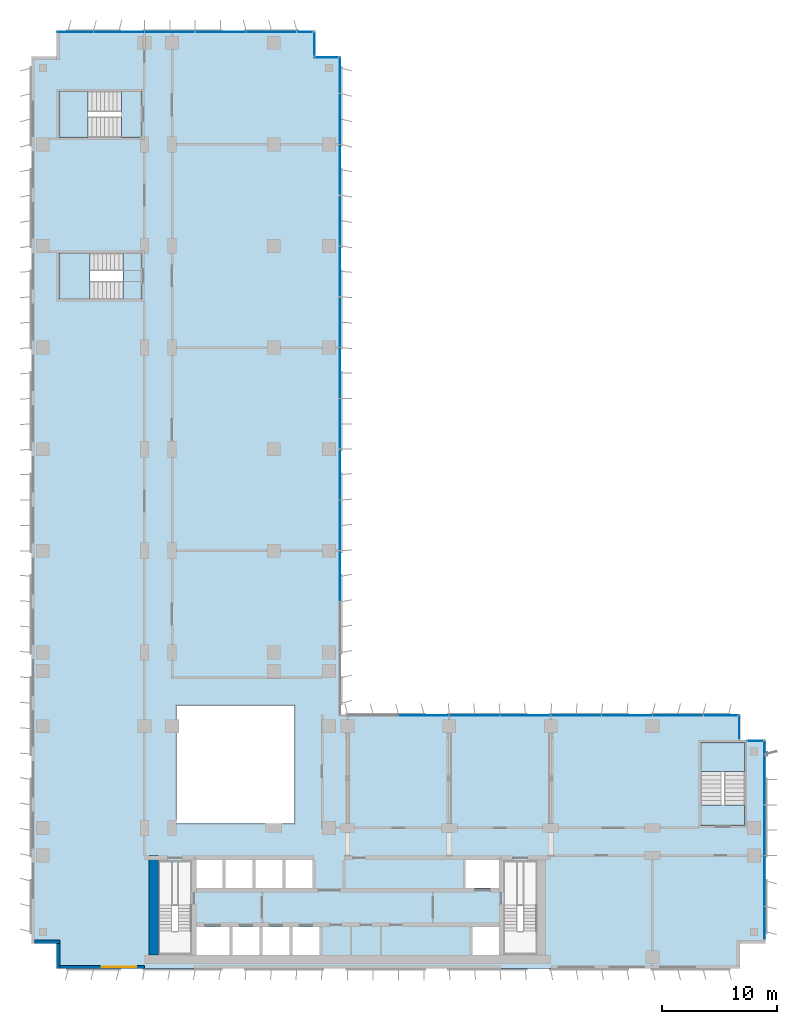
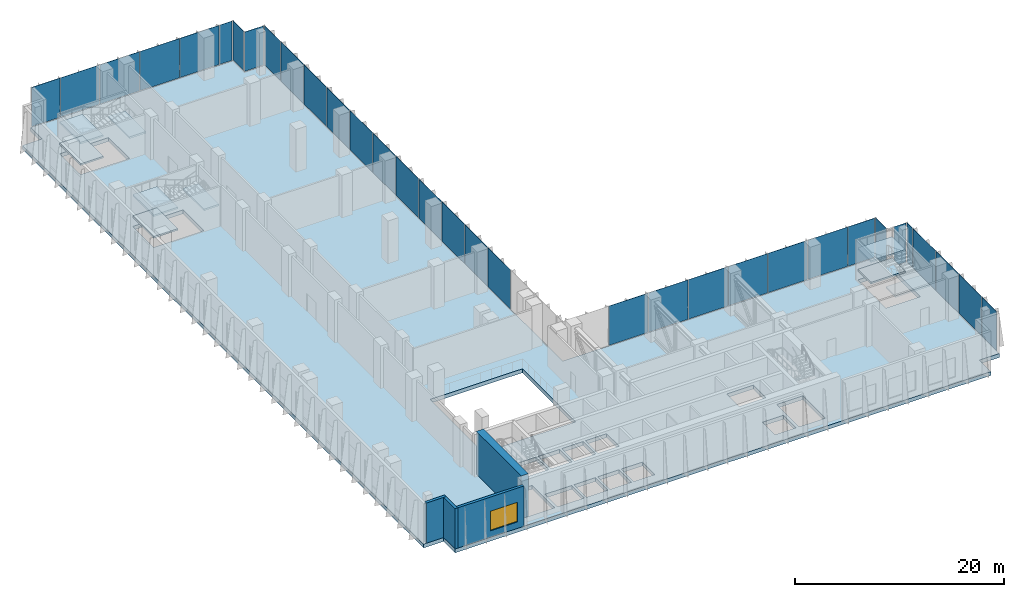
# One storey, part 11 of 21: 33 plates, 10 slabs, 4 walls, 1 window, 1 opening, 11 elements without a shape of their own.
"""IFC4 building model written with IfcOpenShell, lengths in metres."""

import ifcopenshell
import ifcopenshell.guid

model = None  # the IFC model being written
_history = None  # IfcOwnerHistory: only IFC2X3 demands one
_inside = {}  # id of a spatial element -> (the spatial element, [elements in it])
_under = {}  # id of a project, library or spatial element -> (it, [spatial elements below it])
_declared = {}  # id of a project -> (the project, [libraries it declares])
_typed = {}  # id of a type object -> (the type object, [elements of that type])
_made_of = {}  # id of a material, layer set ... -> (it, [elements and type objects made of it])


def new_model(schema):
    """Start an empty IFC model of exactly this schema.

    Asked for "IFC4X3", IfcOpenShell would pick the latest addendum, in which some entities
    have other attributes; the version numbers below select the first issue.
    IFC2X3 requires an IfcOwnerHistory on every rooted entity: one is made here for all.
    """
    global model, _history
    if schema == "IFC4X3":
        model = ifcopenshell.file(schema_version=(4, 3, 0, 0))
    else:
        model = ifcopenshell.file(schema=schema)
    _inside.clear()
    _under.clear()
    _declared.clear()
    _typed.clear()
    _made_of.clear()
    _history = None
    if model.schema == "IFC2X3":
        org = make("IfcOrganization", Name="unknown")
        user = make(
            "IfcPersonAndOrganization",
            ThePerson=make("IfcPerson", FamilyName="unknown"),
            TheOrganization=org,
        )
        app = make(
            "IfcApplication",
            ApplicationDeveloper=org,
            Version="unknown",
            ApplicationFullName="unknown",
            ApplicationIdentifier="unknown",
        )
        _history = make(
            "IfcOwnerHistory",
            OwningUser=user,
            OwningApplication=app,
            ChangeAction="ADDED",
            CreationDate=0,
        )
    return model


def make(cls, **values):
    """One entity of the class cls with the attributes given. An attribute that is None is left unset."""
    return model.create_entity(
        cls, **{name: value for name, value in values.items() if value is not None}
    )


def rooted(cls, **values):
    """An entity with a GlobalId (a new one), such as an element, a storey or a relation."""
    return make(cls, GlobalId=ifcopenshell.guid.new(), OwnerHistory=_history, **values)


def si_unit(unit_type, name, prefix=None):
    """IfcSIUnit, for example si_unit("LENGTHUNIT", "METRE", prefix="MILLI")."""
    return make("IfcSIUnit", UnitType=unit_type, Prefix=prefix, Name=name)


def assignment(units):
    """IfcUnitAssignment: the units of a project."""
    return None if units is None else make("IfcUnitAssignment", Units=units)


def point(xyz):
    """IfcCartesianPoint."""
    return None if xyz is None else make("IfcCartesianPoint", Coordinates=xyz)


def direction(xyz):
    """IfcDirection."""
    return None if xyz is None else make("IfcDirection", DirectionRatios=xyz)


def frame(location, z_axis=None, x_axis=None):
    """IfcAxis2Placement3D, a coordinate frame: its origin and axes. An axis left out is left unset."""
    return make(
        "IfcAxis2Placement3D",
        Location=point(location),
        Axis=direction(z_axis),
        RefDirection=direction(x_axis),
    )


def frame_2d(location, x_axis=None):
    """IfcAxis2Placement2D, a coordinate frame in the plane: its origin and x axis."""
    return make(
        "IfcAxis2Placement2D", Location=point(location), RefDirection=direction(x_axis)
    )


def origin():
    """The frame at (0, 0, 0) with its axes left unset."""
    return frame((0.0, 0.0, 0.0))


def origin_2d():
    """The frame at (0, 0) in the plane with its x axis left unset."""
    return frame_2d((0.0, 0.0))


def place(relative_to, where):
    """IfcLocalPlacement: puts the frame where relative to a parent placement (None: the world)."""
    return make(
        "IfcLocalPlacement", PlacementRelTo=relative_to, RelativePlacement=where
    )


def context(
    kind, dimensions, precision=None, world=None, true_north=None, identifier=None
):
    """IfcGeometricRepresentationContext, for example the 3D "Model" context."""
    return make(
        "IfcGeometricRepresentationContext",
        ContextIdentifier=identifier,
        ContextType=kind,
        CoordinateSpaceDimension=dimensions,
        Precision=precision,
        WorldCoordinateSystem=world,
        TrueNorth=true_north,
    )


def subcontext(parent, identifier, kind, view, scale=None):
    """IfcGeometricRepresentationSubContext, for example "Body" below "Model"."""
    return make(
        "IfcGeometricRepresentationSubContext",
        ContextIdentifier=identifier,
        ContextType=kind,
        ParentContext=parent,
        TargetScale=scale,
        TargetView=view,
    )


def project(units=None, contexts=None):
    """IfcProject with its units and contexts."""
    return rooted(
        "IfcProject",
        Name="project",
        RepresentationContexts=contexts,
        UnitsInContext=assignment(units),
    )


def spatial(cls, under=None, at=None, **own):
    """A site, building, storey or space (cls), placed at a placement, below another one or the project."""
    s = rooted(cls, ObjectPlacement=at, **own)
    if under is not None:
        _under.setdefault(under.id(), (under, []))[1].append(s)
    return s


def polyline(points):
    """IfcPolyline through the points."""
    return make("IfcPolyline", Points=[point(p) for p in points])


def profile(cls, at=None, kind="AREA", **sizes):
    """A parametric profile (cls). Its sizes go by their IFC names, for example OverallWidth=200.0."""
    return make(cls, ProfileType=kind, Position=at, **sizes)


def rectangle(**sizes):
    """IfcRectangleProfileDef."""
    return profile("IfcRectangleProfileDef", **sizes)


def outline(outer, holes=None, kind="AREA"):
    """IfcArbitraryClosedProfileDef: a profile drawn as a closed curve; with holes, ...WithVoids."""
    if holes is None:
        return make("IfcArbitraryClosedProfileDef", ProfileType=kind, OuterCurve=outer)
    return make(
        "IfcArbitraryProfileDefWithVoids",
        ProfileType=kind,
        OuterCurve=outer,
        InnerCurves=holes,
    )


def extrude(swept, where, along, depth):
    """IfcExtrudedAreaSolid: the profile swept, set in the frame where, extruded along a direction by depth."""
    return make(
        "IfcExtrudedAreaSolid",
        SweptArea=swept,
        Position=where,
        ExtrudedDirection=direction(along),
        Depth=depth,
    )


def shape(context_of_items, identifier, shape_type, items):
    """IfcShapeRepresentation: the items that make up one representation, for example the "Body"."""
    return make(
        "IfcShapeRepresentation",
        ContextOfItems=context_of_items,
        RepresentationIdentifier=identifier,
        RepresentationType=shape_type,
        Items=items,
    )


def source(mapping_origin, context_of_items, identifier, shape_type, items):
    """IfcRepresentationMap: a shape defined once, which mapped items show again and again."""
    return make(
        "IfcRepresentationMap",
        MappingOrigin=mapping_origin,
        MappedRepresentation=shape(context_of_items, identifier, shape_type, items),
    )


def transform(
    local_origin,
    x_axis=None,
    y_axis=None,
    z_axis=None,
    scale=None,
    scale2=None,
    scale3=None,
    uniform=True,
):
    """IfcCartesianTransformationOperator3D, or its non-uniform kind. x_axis, y_axis, z_axis: its Axis1, 2, 3."""
    if uniform:
        return make(
            "IfcCartesianTransformationOperator3D",
            Axis1=direction(x_axis),
            Axis2=direction(y_axis),
            LocalOrigin=point(local_origin),
            Scale=scale,
            Axis3=direction(z_axis),
        )
    return make(
        "IfcCartesianTransformationOperator3DnonUniform",
        Axis1=direction(x_axis),
        Axis2=direction(y_axis),
        LocalOrigin=point(local_origin),
        Scale=scale,
        Axis3=direction(z_axis),
        Scale2=scale2,
        Scale3=scale3,
    )


def mapped(mapping_source, mapping_target):
    """IfcMappedItem: shows the shape of a source again, moved by a transform."""
    return make(
        "IfcMappedItem", MappingSource=mapping_source, MappingTarget=mapping_target
    )


def material(Name=None, Category=None):
    """IfcMaterial."""
    return make("IfcMaterial", Name=Name, Category=Category)


def layer(
    of_material, thickness, ventilated=None, Name=None, Category=None, Priority=None
):
    """IfcMaterialLayer: one layer of a wall or slab, of a material (None: an air gap)."""
    return make(
        "IfcMaterialLayer",
        Material=of_material,
        LayerThickness=thickness,
        IsVentilated=ventilated,
        Name=Name,
        Category=Category,
        Priority=Priority,
    )


def layer_set(layers, Name=None):
    """IfcMaterialLayerSet."""
    return make("IfcMaterialLayerSet", MaterialLayers=layers, LayerSetName=Name)


def made_of(thing, what):
    """Note that an element or type object is made of a material, layer set ...; save() writes the relation."""
    if what is not None:
        _made_of.setdefault(what.id(), (what, []))[1].append(thing)
    return thing


def type_object(cls, material=None, **own):
    """A type object (cls), such as IfcWallType, which elements share."""
    return made_of(rooted(cls, **own), material)


def element(
    cls,
    number,
    at=None,
    inside=None,
    cuts=None,
    type_object=None,
    material=None,
    context=None,
    identifier="Body",
    shape_type=None,
    held_by="IfcProductDefinitionShape",
    body=None,
    shapes=None,
    **own,
):
    """One element of the class cls, such as IfcWall. Its Tag is "e" and its number.

    at: its placement. inside: the storey or other place that contains it. cuts: it is an
    opening in that element (IfcRelVoidsElement). A single representation is given by context,
    identifier, shape_type and body (its items); several are given by shapes. held_by: the class
    of the entity that holds the representations. save() writes the other relations.
    """
    e = rooted(cls, Tag="e%d" % number, ObjectPlacement=at, **own)
    if body is not None:
        shapes = [shape(context, identifier, shape_type, body)]
    if shapes is not None:
        e.Representation = make(held_by, Representations=shapes)
    if inside is not None:
        _inside.setdefault(inside.id(), (inside, []))[1].append(e)
    if cuts is not None:
        rooted(
            "IfcRelVoidsElement", RelatingBuildingElement=cuts, RelatedOpeningElement=e
        )
    if type_object is not None:
        _typed.setdefault(type_object.id(), (type_object, []))[1].append(e)
    return made_of(e, material)


def fill(opening, filler):
    """IfcRelFillsElement: the door or window that sits in an opening."""
    return rooted(
        "IfcRelFillsElement",
        RelatingOpeningElement=opening,
        RelatedBuildingElement=filler,
    )


def aggregate(whole, parts):
    """IfcRelAggregates: a whole, such as a stair, and the parts it consists of."""
    return rooted("IfcRelAggregates", RelatingObject=whole, RelatedObjects=parts)


def save(model, path):
    """Write the relations noted so far, then the file.

    IfcRelAggregates (storeys below a building ...), IfcRelContainedInSpatialStructure (elements
    in a storey), IfcRelDefinesByType, IfcRelAssociatesMaterial and IfcRelDeclares: one each for
    every whole, place, type object, material and project.
    """
    for whole, parts in _under.values():
        aggregate(whole, parts)
    for where, things in _inside.values():
        rooted(
            "IfcRelContainedInSpatialStructure",
            RelatedElements=things,
            RelatingStructure=where,
        )
    for kind, things in _typed.values():
        rooted("IfcRelDefinesByType", RelatedObjects=things, RelatingType=kind)
    for what, things in _made_of.values():
        rooted("IfcRelAssociatesMaterial", RelatedObjects=things, RelatingMaterial=what)
    for by, libraries in _declared.values():
        rooted("IfcRelDeclares", RelatingContext=by, RelatedDefinitions=libraries)
    model.write(path)


model = new_model("IFC4")

# Units and contexts
model_context = context("Model", 3, precision=1e-05, world=origin(), true_north=direction((0.0, 1.0)))
body_context = subcontext(model_context, "Body", "Model", "MODEL_VIEW")
ifc_project = project(units=[si_unit("LENGTHUNIT", "METRE"), si_unit("AREAUNIT", "SQUARE_METRE"), si_unit("VOLUMEUNIT", "CUBIC_METRE"), si_unit("PLANEANGLEUNIT", "RADIAN"), si_unit("MASSUNIT", "GRAM", prefix="KILO")], contexts=[model_context])

# Site, building, storey
site_placement = place(None, origin())
site = spatial("IfcSite", under=ifc_project, at=site_placement, CompositionType="ELEMENT")
building_placement = place(site_placement, origin())
building = spatial("IfcBuilding", under=site, at=building_placement, Name="Kemantara Hotel Tower", CompositionType="ELEMENT")
storey_placement = place(building_placement, frame((0.0, 0.0, 133.300048828125)))
storey = spatial("IfcBuildingStorey", under=building, at=storey_placement, Name="L32", CompositionType="ELEMENT", Elevation=133.300048828125)

# Slab
ifc_material_1 = material(Name="Concrete fc 40 MPa", Category="concrete")
ifc_layer_1 = layer(ifc_material_1, 0.449951171875)
ifc_layer_set_1 = layer_set([ifc_layer_1], Name="Concrete fc 40 MPa")
slab_type_1 = type_object("IfcSlabType", Name="REINFORCED DIAPHRAGM SLAB 450", PredefinedType="FLOOR", material=ifc_layer_set_1)
slab_1_placement = place(storey_placement, frame((0.0, 0.0, -0.449951171875)))
element("IfcSlab", 1, at=slab_1_placement, inside=storey, type_object=slab_type_1, Name="FLOOR SLAB L32", PredefinedType="FLOOR", context=body_context, shape_type="SweptSolid", body=[
    extrude(outline(polyline([(26.800048828125, 79.0), (24.60009765625, 79.0), (24.60009765625, 81.199951171875), (2.199951171875, 81.199951171875), (2.199951171875, 79.0), (0.0, 79.0), (0.0, 2.199951171875), (2.199951171875, 2.199951171875), (2.199951171875, 0.0), (61.39990234375, 0.0), (61.39990234375, 2.199951171875), (63.60009765625, 2.199951171875), (63.60009765625, 19.800048828125), (61.39990234375, 19.800048828125), (61.39990234375, 22.0), (26.800048828125, 22.0), (26.800048828125, 79.0)]), holes=[polyline([(17.175048828125, 1.199951171875), (14.22509765625, 1.199951171875), (14.22509765625, 3.60009765625), (17.175048828125, 3.60009765625), (17.175048828125, 1.199951171875)]), polyline([(19.77490234375, 1.199951171875), (17.425048828125, 1.199951171875), (17.425048828125, 3.60009765625), (19.77490234375, 3.60009765625), (19.77490234375, 1.199951171875)]), polyline([(11.0, 1.199951171875), (11.0, 5.49951171875), (13.89990234375, 5.49951171875), (13.89990234375, 1.199951171875), (11.0, 1.199951171875)]), polyline([(16.574951171875, 7.0), (14.22509765625, 7.0), (14.22509765625, 9.39990234375), (16.574951171875, 9.39990234375), (16.574951171875, 7.0)]), polyline([(19.175048828125, 7.0), (16.824951171875, 7.0), (16.824951171875, 9.39990234375), (19.175048828125, 9.39990234375), (19.175048828125, 7.0)]), polyline([(22.800048828125, 12.60009765625), (12.60009765625, 12.60009765625), (12.60009765625, 22.800048828125), (22.800048828125, 22.800048828125), (22.800048828125, 12.60009765625)]), polyline([(2.39990234375, 62.0), (7.949462890625, 62.0), (7.949462890625, 58.0), (2.39990234375, 58.0), (2.39990234375, 62.0)]), polyline([(2.39990234375, 76.0), (7.79931640625, 76.0), (7.79931640625, 72.0), (2.39990234375, 72.0), (2.39990234375, 76.0)]), polyline([(22.375, 1.199951171875), (20.02490234375, 1.199951171875), (20.02490234375, 3.60009765625), (22.375, 3.60009765625), (22.375, 1.199951171875)]), polyline([(24.97509765625, 1.199951171875), (22.625, 1.199951171875), (22.625, 3.60009765625), (24.97509765625, 3.60009765625), (24.97509765625, 1.199951171875)]), polyline([(40.574951171875, 1.199951171875), (38.22509765625, 1.199951171875), (38.22509765625, 3.60009765625), (40.574951171875, 3.60009765625), (40.574951171875, 1.199951171875)]), polyline([(40.89990234375, 1.199951171875), (40.89990234375, 5.49951171875), (43.800048828125, 5.49951171875), (43.800048828125, 1.199951171875), (40.89990234375, 1.199951171875)]), polyline([(21.77490234375, 7.0), (19.425048828125, 7.0), (19.425048828125, 9.39990234375), (21.77490234375, 9.39990234375), (21.77490234375, 7.0)]), polyline([(24.375, 7.0), (22.02490234375, 7.0), (22.02490234375, 9.39990234375), (24.375, 9.39990234375), (24.375, 7.0)]), polyline([(40.574951171875, 7.0), (37.625, 7.0), (37.625, 9.39990234375), (40.574951171875, 9.39990234375), (40.574951171875, 7.0)]), polyline([(61.800048828125, 19.60009765625), (61.800048828125, 14.20068359375), (58.0, 14.20068359375), (58.0, 19.60009765625), (61.800048828125, 19.60009765625)])]), origin(), (0.0, 0.0, 1.0), 0.449951171875),
])

# Stair, slabs
stair_type_1 = type_object("IfcStairType", Name="Stair 1800 wide 36 risers of 139 x 360 mm", PredefinedType="HALF_TURN_STAIR", material=ifc_material_1)
stair_1_placement = place(storey_placement, origin())
stair_1 = element("IfcStair", 2, at=stair_1_placement, inside=storey, type_object=stair_type_1, Name="L32 Exit stair ST3", PredefinedType="HALF_TURN_STAIR")
ifc_layer_2 = layer(ifc_material_1, 0.199951171875)
ifc_layer_set_2 = layer_set([ifc_layer_2], Name="Concrete fc 40 MPa")
slab_type_2 = type_object("IfcSlabType", Name="Stair landing 200 mm", PredefinedType="LANDING", material=ifc_layer_set_2)
slab_2_placement = place(storey_placement, frame((0.0, 0.0, 1.050048828125)))
slab_2 = element("IfcSlab", 3, at=slab_2_placement, type_object=slab_type_2, Name="ST3 landing 1", PredefinedType="LANDING", context=body_context, shape_type="SweptSolid", body=[
    extrude(outline(polyline([(61.800048828125, 17.080078125), (61.800048828125, 19.60009765625), (58.0, 19.60009765625), (58.0, 17.080078125), (61.800048828125, 17.080078125)])), origin(), (0.0, 0.0, 1.0), 0.199951171875),
])
slab_3_placement = place(storey_placement, frame((0.0, 0.0, 2.300048828125)))
slab_3 = element("IfcSlab", 4, at=slab_3_placement, type_object=slab_type_2, Name="ST3 landing 2", PredefinedType="LANDING", context=body_context, shape_type="SweptSolid", body=[
    extrude(outline(polyline([(61.800048828125, 12.39990234375), (61.800048828125, 14.199951171875), (58.0, 14.199951171875), (58.0, 12.39990234375), (61.800048828125, 12.39990234375)])), origin(), (0.0, 0.0, 1.0), 0.199951171875),
])
slab_4_placement = place(storey_placement, frame((0.0, 0.0, 3.550048828125)))
slab_4 = element("IfcSlab", 5, at=slab_4_placement, type_object=slab_type_2, Name="ST3 landing 3", PredefinedType="LANDING", context=body_context, shape_type="SweptSolid", body=[
    extrude(outline(polyline([(61.800048828125, 17.080078125), (61.800048828125, 19.60009765625), (58.0, 19.60009765625), (58.0, 17.080078125), (61.800048828125, 17.080078125)])), origin(), (0.0, 0.0, 1.0), 0.199951171875),
])
aggregate(stair_1, [slab_2, slab_3, slab_4])

stair_type_2 = type_object("IfcStairType", Name="Stair 1550 wide 36 risers of 139 x 360 mm", PredefinedType="HALF_TURN_STAIR", material=ifc_material_1)
stair_2_placement = place(storey_placement, origin())
stair_2 = element("IfcStair", 6, at=stair_2_placement, inside=storey, type_object=stair_type_2, Name="L32 Exit stair ST4", PredefinedType="HALF_TURN_STAIR")
slab_5_placement = place(storey_placement, frame((0.0, 0.0, 1.050048828125)))
slab_5 = element("IfcSlab", 7, at=slab_5_placement, type_object=slab_type_2, Name="ST4 landing 1", PredefinedType="LANDING", context=body_context, shape_type="SweptSolid", body=[
    extrude(outline(polyline([(5.070068359375, 62.0), (2.39990234375, 62.0), (2.39990234375, 58.0), (5.070068359375, 58.0), (5.070068359375, 62.0)])), origin(), (0.0, 0.0, 1.0), 0.199951171875),
])
slab_6_placement = place(storey_placement, frame((0.0, 0.0, 2.300048828125)))
slab_6 = element("IfcSlab", 8, at=slab_6_placement, type_object=slab_type_2, Name="ST4 landing 2", PredefinedType="LANDING", context=body_context, shape_type="SweptSolid", body=[
    extrude(outline(polyline([(9.60009765625, 62.0), (7.949951171875, 62.0), (7.949951171875, 58.0), (9.60009765625, 58.0), (9.60009765625, 62.0)])), origin(), (0.0, 0.0, 1.0), 0.199951171875),
])
slab_7_placement = place(storey_placement, frame((0.0, 0.0, 3.550048828125)))
slab_7 = element("IfcSlab", 9, at=slab_7_placement, type_object=slab_type_2, Name="ST4 landing 3", PredefinedType="LANDING", context=body_context, shape_type="SweptSolid", body=[
    extrude(outline(polyline([(5.070068359375, 62.0), (2.39990234375, 62.0), (2.39990234375, 58.0), (5.070068359375, 58.0), (5.070068359375, 62.0)])), origin(), (0.0, 0.0, 1.0), 0.199951171875),
])
aggregate(stair_2, [slab_5, slab_6, slab_7])

stair_3_placement = place(storey_placement, origin())
stair_3 = element("IfcStair", 10, at=stair_3_placement, inside=storey, type_object=stair_type_1, Name="L32 Exit stair ST6", PredefinedType="HALF_TURN_STAIR")
slab_8_placement = place(storey_placement, frame((0.0, 0.0, 1.050048828125)))
slab_8 = element("IfcSlab", 11, at=slab_8_placement, type_object=slab_type_2, Name="ST6 landing 1", PredefinedType="LANDING", context=body_context, shape_type="SweptSolid", body=[
    extrude(outline(polyline([(4.919921875, 76.0), (2.39990234375, 76.0), (2.39990234375, 72.0), (4.919921875, 72.0), (4.919921875, 76.0)])), origin(), (0.0, 0.0, 1.0), 0.199951171875),
])
slab_9_placement = place(storey_placement, frame((0.0, 0.0, 2.300048828125)))
slab_9 = element("IfcSlab", 12, at=slab_9_placement, type_object=slab_type_2, Name="ST6 landing 2", PredefinedType="LANDING", context=body_context, shape_type="SweptSolid", body=[
    extrude(outline(polyline([(9.60009765625, 76.0), (7.800048828125, 76.0), (7.800048828125, 72.0), (9.60009765625, 72.0), (9.60009765625, 76.0)])), origin(), (0.0, 0.0, 1.0), 0.199951171875),
])
slab_10_placement = place(storey_placement, frame((0.0, 0.0, 3.550048828125)))
slab_10 = element("IfcSlab", 13, at=slab_10_placement, type_object=slab_type_2, Name="ST6 landing 3", PredefinedType="LANDING", context=body_context, shape_type="SweptSolid", body=[
    extrude(outline(polyline([(4.919921875, 76.0), (2.39990234375, 76.0), (2.39990234375, 72.0), (4.919921875, 72.0), (4.919921875, 76.0)])), origin(), (0.0, 0.0, 1.0), 0.199951171875),
])
aggregate(stair_3, [slab_8, slab_9, slab_10])

# Curtain wall, plate
ifc_material_2 = material(Name="Low-E tinted double insulated glass 36 mm", Category="glass")
curtain_wall_type = type_object("IfcCurtainWallType", Name="TOWER CURTAIN WALL, FRONT FACES", PredefinedType="USERDEFINED", material=ifc_material_2)
curtain_wall_1_placement = place(storey_placement, origin())
curtain_wall_1 = element("IfcCurtainWall", 14, at=curtain_wall_1_placement, inside=storey, type_object=curtain_wall_type, Name="CW4 L32 T2-R10-1", ObjectType="TOWER CURTAIN WALL, FRONT FACES", PredefinedType="USERDEFINED")
ifc_layer_3 = layer(ifc_material_2, 0.035888671875)
ifc_layer_set_3 = layer_set([ifc_layer_3], Name="Low-E tinted double insulated glass 36 mm")
plate_type = type_object("IfcPlateType", Name="TOWER CURTAIN WALL, FRONT FACES PANEL", PredefinedType="CURTAIN_PANEL", material=ifc_layer_set_3)
shared_shape_1 = source(origin(), body_context, "Body", "SweptSolid", [
    extrude(rectangle(XDim=2.81005859375, YDim=0.035888671875, at=origin_2d()), origin(), (0.0, 0.0, 1.0), 4.580078125),
])
plate_1_placement = place(storey_placement, frame((63.52490234375, 3.965087890625, 0.119873046875), z_axis=(0.0, 0.0, 1.0), x_axis=(0.0, 1.0, 0.0)))
plate_1 = element("IfcPlate", 15, at=plate_1_placement, type_object=plate_type, Name="CW4 glass panel T2-R10-1.1", PredefinedType="CURTAIN_PANEL", context=body_context, shape_type="MappedRepresentation", body=[
    mapped(shared_shape_1, transform((0.0, 0.0, 0.0))),
])

# Curtain wall, plates
curtain_wall_2_placement = place(storey_placement, origin())
curtain_wall_2 = element("IfcCurtainWall", 16, at=curtain_wall_2_placement, inside=storey, type_object=curtain_wall_type, Name="CW4 L32 T2-R01-1", ObjectType="TOWER CURTAIN WALL, FRONT FACES", PredefinedType="USERDEFINED")
shared_shape_2 = source(origin(), body_context, "Body", "SweptSolid", [
    extrude(rectangle(XDim=4.340087890625, YDim=0.035888671875, at=origin_2d()), origin(), (0.0, 0.0, 1.0), 4.580078125),
])
plate_2_placement = place(storey_placement, frame((20.800048828125, 81.125, 0.119873046875), z_axis=(0.0, 0.0, 1.0), x_axis=(-1.0, 0.0, 0.0)))
plate_2 = element("IfcPlate", 17, at=plate_2_placement, type_object=plate_type, Name="CW4 glass panel T2-R01-1.2", PredefinedType="CURTAIN_PANEL", context=body_context, shape_type="MappedRepresentation", body=[
    mapped(shared_shape_2, transform((0.0, 0.0, 0.0))),
])
plate_3_placement = place(storey_placement, frame((16.39990234375, 81.125, 0.119873046875), z_axis=(0.0, 0.0, 1.0), x_axis=(-1.0, 0.0, 0.0)))
plate_3 = element("IfcPlate", 18, at=plate_3_placement, type_object=plate_type, Name="CW4 glass panel T2-R01-1.3", PredefinedType="CURTAIN_PANEL", context=body_context, shape_type="MappedRepresentation", body=[
    mapped(shared_shape_2, transform((0.0, 0.0, 0.0))),
])
plate_4_placement = place(storey_placement, frame((12.0, 81.125, 0.119873046875), z_axis=(0.0, 0.0, 1.0), x_axis=(-1.0, 0.0, 0.0)))
plate_4 = element("IfcPlate", 19, at=plate_4_placement, type_object=plate_type, Name="CW4 glass panel T2-R01-1.4", PredefinedType="CURTAIN_PANEL", context=body_context, shape_type="MappedRepresentation", body=[
    mapped(shared_shape_2, transform((0.0, 0.0, 0.0))),
])
plate_5_placement = place(storey_placement, frame((7.60009765625, 81.125, 0.119873046875), z_axis=(0.0, 0.0, 1.0), x_axis=(-1.0, 0.0, 0.0)))
plate_5 = element("IfcPlate", 20, at=plate_5_placement, type_object=plate_type, Name="CW4 glass panel T2-R01-1.5", PredefinedType="CURTAIN_PANEL", context=body_context, shape_type="MappedRepresentation", body=[
    mapped(shared_shape_2, transform((0.0, 0.0, 0.0))),
])

# Plate
plate_6_placement = place(storey_placement, frame((63.52490234375, 7.60009765625, 0.119873046875), z_axis=(0.0, 0.0, 1.0), x_axis=(0.0, 1.0, 0.0)))
plate_6 = element("IfcPlate", 21, at=plate_6_placement, type_object=plate_type, Name="CW4 glass panel T2-R10-1.2", PredefinedType="CURTAIN_PANEL", context=body_context, shape_type="MappedRepresentation", body=[
    mapped(shared_shape_2, transform((0.0, 0.0, 0.0))),
])

plate_7_placement = place(storey_placement, frame((63.52490234375, 12.0, 0.119873046875), z_axis=(0.0, 0.0, 1.0), x_axis=(0.0, 1.0, 0.0)))
plate_7 = element("IfcPlate", 22, at=plate_7_placement, type_object=plate_type, Name="CW4 glass panel T2-R10-1.3", PredefinedType="CURTAIN_PANEL", context=body_context, shape_type="MappedRepresentation", body=[
    mapped(shared_shape_2, transform((0.0, 0.0, 0.0))),
])

plate_8_placement = place(storey_placement, frame((63.52490234375, 16.39990234375, 0.119873046875), z_axis=(0.0, 0.0, 1.0), x_axis=(0.0, 1.0, 0.0)))
plate_8 = element("IfcPlate", 23, at=plate_8_placement, type_object=plate_type, Name="CW4 glass panel T2-R10-1.4", PredefinedType="CURTAIN_PANEL", context=body_context, shape_type="MappedRepresentation", body=[
    mapped(shared_shape_2, transform((0.0, 0.0, 0.0))),
])

# Curtain wall, plates
curtain_wall_3_placement = place(storey_placement, origin())
curtain_wall_3 = element("IfcCurtainWall", 24, at=curtain_wall_3_placement, inside=storey, type_object=curtain_wall_type, Name="CW4 L32 T2-R13-1", ObjectType="TOWER CURTAIN WALL, FRONT FACES", PredefinedType="USERDEFINED")
plate_9_placement = place(storey_placement, frame((56.0, 21.925048828125, 0.119873046875), z_axis=(0.0, 0.0, 1.0), x_axis=(-1.0, 0.0, 0.0)))
plate_9 = element("IfcPlate", 25, at=plate_9_placement, type_object=plate_type, Name="CW4 glass panel T2-R13-1.2", PredefinedType="CURTAIN_PANEL", context=body_context, shape_type="MappedRepresentation", body=[
    mapped(shared_shape_2, transform((0.0, 0.0, 0.0))),
])
plate_10_placement = place(storey_placement, frame((51.60009765625, 21.925048828125, 0.119873046875), z_axis=(0.0, 0.0, 1.0), x_axis=(-1.0, 0.0, 0.0)))
plate_10 = element("IfcPlate", 26, at=plate_10_placement, type_object=plate_type, Name="CW4 glass panel T2-R13-1.3", PredefinedType="CURTAIN_PANEL", context=body_context, shape_type="MappedRepresentation", body=[
    mapped(shared_shape_2, transform((0.0, 0.0, 0.0))),
])
plate_11_placement = place(storey_placement, frame((47.199951171875, 21.925048828125, 0.119873046875), z_axis=(0.0, 0.0, 1.0), x_axis=(-1.0, 0.0, 0.0)))
plate_11 = element("IfcPlate", 27, at=plate_11_placement, type_object=plate_type, Name="CW4 glass panel T2-R13-1.4", PredefinedType="CURTAIN_PANEL", context=body_context, shape_type="MappedRepresentation", body=[
    mapped(shared_shape_2, transform((0.0, 0.0, 0.0))),
])
plate_12_placement = place(storey_placement, frame((42.800048828125, 21.925048828125, 0.119873046875), z_axis=(0.0, 0.0, 1.0), x_axis=(-1.0, 0.0, 0.0)))
plate_12 = element("IfcPlate", 28, at=plate_12_placement, type_object=plate_type, Name="CW4 glass panel T2-R13-1.5", PredefinedType="CURTAIN_PANEL", context=body_context, shape_type="MappedRepresentation", body=[
    mapped(shared_shape_2, transform((0.0, 0.0, 0.0))),
])
plate_13_placement = place(storey_placement, frame((38.39990234375, 21.925048828125, 0.119873046875), z_axis=(0.0, 0.0, 1.0), x_axis=(-1.0, 0.0, 0.0)))
plate_13 = element("IfcPlate", 29, at=plate_13_placement, type_object=plate_type, Name="CW4 glass panel T2-R13-1.6", PredefinedType="CURTAIN_PANEL", context=body_context, shape_type="MappedRepresentation", body=[
    mapped(shared_shape_2, transform((0.0, 0.0, 0.0))),
])
plate_14_placement = place(storey_placement, frame((34.0, 21.925048828125, 0.119873046875), z_axis=(0.0, 0.0, 1.0), x_axis=(-1.0, 0.0, 0.0)))
plate_14 = element("IfcPlate", 30, at=plate_14_placement, type_object=plate_type, Name="CW4 glass panel T2-R13-1.7", PredefinedType="CURTAIN_PANEL", context=body_context, shape_type="MappedRepresentation", body=[
    mapped(shared_shape_2, transform((0.0, 0.0, 0.0))),
])

curtain_wall_4_placement = place(storey_placement, origin())
curtain_wall_4 = element("IfcCurtainWall", 31, at=curtain_wall_4_placement, inside=storey, type_object=curtain_wall_type, Name="CW4 L32 T2-R14-1", ObjectType="TOWER CURTAIN WALL, FRONT FACES", PredefinedType="USERDEFINED")
plate_15_placement = place(storey_placement, frame((26.72509765625, 34.0, 0.119873046875), z_axis=(0.0, 0.0, 1.0), x_axis=(0.0, 1.0, 0.0)))
plate_15 = element("IfcPlate", 32, at=plate_15_placement, type_object=plate_type, Name="CW4 glass panel T2-R14-1.4", PredefinedType="CURTAIN_PANEL", context=body_context, shape_type="MappedRepresentation", body=[
    mapped(shared_shape_2, transform((0.0, 0.0, 0.0))),
])
plate_16_placement = place(storey_placement, frame((26.72509765625, 38.39990234375, 0.119873046875), z_axis=(0.0, 0.0, 1.0), x_axis=(0.0, 1.0, 0.0)))
plate_16 = element("IfcPlate", 33, at=plate_16_placement, type_object=plate_type, Name="CW4 glass panel T2-R14-1.5", PredefinedType="CURTAIN_PANEL", context=body_context, shape_type="MappedRepresentation", body=[
    mapped(shared_shape_2, transform((0.0, 0.0, 0.0))),
])
plate_17_placement = place(storey_placement, frame((26.72509765625, 42.800048828125, 0.119873046875), z_axis=(0.0, 0.0, 1.0), x_axis=(0.0, 1.0, 0.0)))
plate_17 = element("IfcPlate", 34, at=plate_17_placement, type_object=plate_type, Name="CW4 glass panel T2-R14-1.6", PredefinedType="CURTAIN_PANEL", context=body_context, shape_type="MappedRepresentation", body=[
    mapped(shared_shape_2, transform((0.0, 0.0, 0.0))),
])
plate_18_placement = place(storey_placement, frame((26.72509765625, 47.199951171875, 0.119873046875), z_axis=(0.0, 0.0, 1.0), x_axis=(0.0, 1.0, 0.0)))
plate_18 = element("IfcPlate", 35, at=plate_18_placement, type_object=plate_type, Name="CW4 glass panel T2-R14-1.7", PredefinedType="CURTAIN_PANEL", context=body_context, shape_type="MappedRepresentation", body=[
    mapped(shared_shape_2, transform((0.0, 0.0, 0.0))),
])
plate_19_placement = place(storey_placement, frame((26.72509765625, 51.60009765625, 0.119873046875), z_axis=(0.0, 0.0, 1.0), x_axis=(0.0, 1.0, 0.0)))
plate_19 = element("IfcPlate", 36, at=plate_19_placement, type_object=plate_type, Name="CW4 glass panel T2-R14-1.8", PredefinedType="CURTAIN_PANEL", context=body_context, shape_type="MappedRepresentation", body=[
    mapped(shared_shape_2, transform((0.0, 0.0, 0.0))),
])
plate_20_placement = place(storey_placement, frame((26.72509765625, 56.0, 0.119873046875), z_axis=(0.0, 0.0, 1.0), x_axis=(0.0, 1.0, 0.0)))
plate_20 = element("IfcPlate", 37, at=plate_20_placement, type_object=plate_type, Name="CW4 glass panel T2-R14-1.9", PredefinedType="CURTAIN_PANEL", context=body_context, shape_type="MappedRepresentation", body=[
    mapped(shared_shape_2, transform((0.0, 0.0, 0.0))),
])
plate_21_placement = place(storey_placement, frame((26.72509765625, 60.39990234375, 0.119873046875), z_axis=(0.0, 0.0, 1.0), x_axis=(0.0, 1.0, 0.0)))
plate_21 = element("IfcPlate", 38, at=plate_21_placement, type_object=plate_type, Name="CW4 glass panel T2-R14-1.10", PredefinedType="CURTAIN_PANEL", context=body_context, shape_type="MappedRepresentation", body=[
    mapped(shared_shape_2, transform((0.0, 0.0, 0.0))),
])
plate_22_placement = place(storey_placement, frame((26.72509765625, 64.800048828125, 0.119873046875), z_axis=(0.0, 0.0, 1.0), x_axis=(0.0, 1.0, 0.0)))
plate_22 = element("IfcPlate", 39, at=plate_22_placement, type_object=plate_type, Name="CW4 glass panel T2-R14-1.11", PredefinedType="CURTAIN_PANEL", context=body_context, shape_type="MappedRepresentation", body=[
    mapped(shared_shape_2, transform((0.0, 0.0, 0.0))),
])
plate_23_placement = place(storey_placement, frame((26.72509765625, 69.199951171875, 0.119873046875), z_axis=(0.0, 0.0, 1.0), x_axis=(0.0, 1.0, 0.0)))
plate_23 = element("IfcPlate", 40, at=plate_23_placement, type_object=plate_type, Name="CW4 glass panel T2-R14-1.12", PredefinedType="CURTAIN_PANEL", context=body_context, shape_type="MappedRepresentation", body=[
    mapped(shared_shape_2, transform((0.0, 0.0, 0.0))),
])
plate_24_placement = place(storey_placement, frame((26.72509765625, 73.60009765625, 0.119873046875), z_axis=(0.0, 0.0, 1.0), x_axis=(0.0, 1.0, 0.0)))
plate_24 = element("IfcPlate", 41, at=plate_24_placement, type_object=plate_type, Name="CW4 glass panel T2-R14-1.13", PredefinedType="CURTAIN_PANEL", context=body_context, shape_type="MappedRepresentation", body=[
    mapped(shared_shape_2, transform((0.0, 0.0, 0.0))),
])

# Plate
shared_shape_3 = source(origin(), body_context, "Body", "SweptSolid", [
    extrude(rectangle(XDim=2.9599609375, YDim=0.035888671875, at=origin_2d()), origin(), (0.0, 0.0, 1.0), 4.580078125),
])
plate_25_placement = place(storey_placement, frame((59.7099609375, 21.925048828125, 0.119873046875), z_axis=(0.0, 0.0, 1.0), x_axis=(-1.0, 0.0, 0.0)))
plate_25 = element("IfcPlate", 42, at=plate_25_placement, type_object=plate_type, Name="CW4 glass panel T2-R13-1.1", PredefinedType="CURTAIN_PANEL", context=body_context, shape_type="MappedRepresentation", body=[
    mapped(shared_shape_3, transform((0.0, 0.0, 0.0))),
])

aggregate(curtain_wall_3, [plate_25, plate_9, plate_10, plate_11, plate_12, plate_13, plate_14])

shared_shape_4 = source(origin(), body_context, "Body", "SweptSolid", [
    extrude(rectangle(XDim=3.110107421875, YDim=0.035888671875, at=origin_2d()), origin(), (0.0, 0.0, 1.0), 4.580078125),
])
plate_26_placement = place(storey_placement, frame((3.81494140625, 81.125, 0.119873046875), z_axis=(0.0, 0.0, 1.0), x_axis=(-1.0, 0.0, 0.0)))
plate_26 = element("IfcPlate", 43, at=plate_26_placement, type_object=plate_type, Name="CW4 glass panel T2-R01-1.6", PredefinedType="CURTAIN_PANEL", context=body_context, shape_type="MappedRepresentation", body=[
    mapped(shared_shape_4, transform((0.0, 0.0, 0.0))),
])

plate_27_placement = place(storey_placement, frame((26.72509765625, 77.385009765625, 0.119873046875), z_axis=(0.0, 0.0, 1.0), x_axis=(0.0, 1.0, 0.0)))
plate_27 = element("IfcPlate", 44, at=plate_27_placement, type_object=plate_type, Name="CW4 glass panel T2-R14-1.14", PredefinedType="CURTAIN_PANEL", context=body_context, shape_type="MappedRepresentation", body=[
    mapped(shared_shape_4, transform((0.0, 0.0, 0.0))),
])

aggregate(curtain_wall_4, [plate_15, plate_16, plate_17, plate_18, plate_19, plate_20, plate_21, plate_22, plate_23, plate_24, plate_27])

shared_shape_5 = source(origin(), body_context, "Body", "SweptSolid", [
    extrude(rectangle(XDim=1.360107421875, YDim=0.035888671875, at=origin_2d()), origin(), (0.0, 0.0, 1.0), 4.580078125),
])
plate_28_placement = place(storey_placement, frame((23.7099609375, 81.125, 0.119873046875), z_axis=(0.0, 0.0, 1.0), x_axis=(-1.0, 0.0, 0.0)))
plate_28 = element("IfcPlate", 45, at=plate_28_placement, type_object=plate_type, Name="CW4 glass panel T2-R01-1.1", PredefinedType="CURTAIN_PANEL", context=body_context, shape_type="MappedRepresentation", body=[
    mapped(shared_shape_5, transform((0.0, 0.0, 0.0))),
])

aggregate(curtain_wall_2, [plate_28, plate_2, plate_3, plate_4, plate_5, plate_26])

# Curtain wall, plate
curtain_wall_5_placement = place(storey_placement, origin())
curtain_wall_5 = element("IfcCurtainWall", 46, at=curtain_wall_5_placement, inside=storey, type_object=curtain_wall_type, Name="CW4 L32 T2-R00-1", ObjectType="TOWER CURTAIN WALL, FRONT FACES", PredefinedType="USERDEFINED")
shared_shape_6 = source(origin(), body_context, "Body", "SweptSolid", [
    extrude(rectangle(XDim=2.080078125, YDim=0.035888671875, at=origin_2d()), origin(), (0.0, 0.0, 1.0), 4.580078125),
])
plate_29_placement = place(storey_placement, frame((24.52490234375, 80.10009765625, 0.119873046875), z_axis=(0.0, 0.0, 1.0), x_axis=(0.0, 1.0, 0.0)))
plate_29 = element("IfcPlate", 47, at=plate_29_placement, type_object=plate_type, Name="CW4 glass panel T2-R00-1.1", PredefinedType="CURTAIN_PANEL", context=body_context, shape_type="MappedRepresentation", body=[
    mapped(shared_shape_6, transform((0.0, 0.0, 0.0))),
])
aggregate(curtain_wall_5, [plate_29])

curtain_wall_6_placement = place(storey_placement, origin())
curtain_wall_6 = element("IfcCurtainWall", 48, at=curtain_wall_6_placement, inside=storey, type_object=curtain_wall_type, Name="CW4 L32 T2-R12-1", ObjectType="TOWER CURTAIN WALL, FRONT FACES", PredefinedType="USERDEFINED")
plate_30_placement = place(storey_placement, frame((61.324951171875, 20.89990234375, 0.119873046875), z_axis=(0.0, 0.0, 1.0), x_axis=(0.0, 1.0, 0.0)))
plate_30 = element("IfcPlate", 49, at=plate_30_placement, type_object=plate_type, Name="CW4 glass panel T2-R12-1.1", PredefinedType="CURTAIN_PANEL", context=body_context, shape_type="MappedRepresentation", body=[
    mapped(shared_shape_6, transform((0.0, 0.0, 0.0))),
])
aggregate(curtain_wall_6, [plate_30])

curtain_wall_7_placement = place(storey_placement, origin())
curtain_wall_7 = element("IfcCurtainWall", 50, at=curtain_wall_7_placement, inside=storey, type_object=curtain_wall_type, Name="CW4 L32 T2-R15-1", ObjectType="TOWER CURTAIN WALL, FRONT FACES", PredefinedType="USERDEFINED")
plate_31_placement = place(storey_placement, frame((25.550048828125, 78.925048828125, 0.119873046875), z_axis=(0.0, 0.0, 1.0), x_axis=(-1.0, 0.0, 0.0)))
plate_31 = element("IfcPlate", 51, at=plate_31_placement, type_object=plate_type, Name="CW4 glass panel T2-R15-1.1", PredefinedType="CURTAIN_PANEL", context=body_context, shape_type="MappedRepresentation", body=[
    mapped(shared_shape_6, transform((0.0, 0.0, 0.0))),
])
aggregate(curtain_wall_7, [plate_31])

# Plate
shared_shape_7 = source(origin(), body_context, "Body", "SweptSolid", [
    extrude(rectangle(XDim=1.110107421875, YDim=0.035888671875, at=origin_2d()), origin(), (0.0, 0.0, 1.0), 4.580078125),
])
plate_32_placement = place(storey_placement, frame((63.52490234375, 19.18505859375, 0.119873046875), z_axis=(0.0, 0.0, 1.0), x_axis=(0.0, 1.0, 0.0)))
plate_32 = element("IfcPlate", 52, at=plate_32_placement, type_object=plate_type, Name="CW4 glass panel T2-R10-1.5", PredefinedType="CURTAIN_PANEL", context=body_context, shape_type="MappedRepresentation", body=[
    mapped(shared_shape_7, transform((0.0, 0.0, 0.0))),
])

aggregate(curtain_wall_1, [plate_1, plate_6, plate_7, plate_8, plate_32])

# Curtain wall, plate
curtain_wall_8_placement = place(storey_placement, origin())
curtain_wall_8 = element("IfcCurtainWall", 53, at=curtain_wall_8_placement, inside=storey, type_object=curtain_wall_type, Name="CW4 L32 T2-R11-1", ObjectType="TOWER CURTAIN WALL, FRONT FACES", PredefinedType="USERDEFINED")
shared_shape_8 = source(origin(), body_context, "Body", "SweptSolid", [
    extrude(rectangle(XDim=1.330078125, YDim=0.035888671875, at=origin_2d()), origin(), (0.0, 0.0, 1.0), 4.580078125),
])
plate_33_placement = place(storey_placement, frame((62.72509765625, 19.72509765625, 0.119873046875), z_axis=(0.0, 0.0, 1.0), x_axis=(-1.0, 0.0, 0.0)))
plate_33 = element("IfcPlate", 54, at=plate_33_placement, type_object=plate_type, Name="CW4 glass panel T2-R11-1.1", PredefinedType="CURTAIN_PANEL", context=body_context, shape_type="MappedRepresentation", body=[
    mapped(shared_shape_8, transform((0.0, 0.0, 0.0))),
])
aggregate(curtain_wall_8, [plate_33])

# Walls
ifc_material_3 = material(Name="Bronze anodised aluminium cladding on insulated steel stud wall", Category="steel")
ifc_layer_4 = layer(ifc_material_3, 0.300048828125)
ifc_layer_set_4 = layer_set([ifc_layer_4], Name="Bronze anodised aluminium cladding on insulated steel stud wall")
wall_type_1 = type_object("IfcWallType", Name="BRONZE METAL-CLAD EXTERNAL WALL 300", PredefinedType="STANDARD", material=ifc_layer_set_4)
for number, where, z_axis, x_axis, name in (
    (55, (0.300048828125, 2.35009765625, 0.0), (0.0, 0.0, 1.0), (1.0, 0.0, 0.0), "EXTERNAL WALL L32 T2-R05"),
    (56, (2.35009765625, 2.199951171875, 0.0), (0.0, 0.0, 1.0), (0.0, -1.0, 0.0), "EXTERNAL WALL L32 T2-R06"),
):
    element("IfcWall", number, at=place(storey_placement, frame(where, z_axis=z_axis, x_axis=x_axis)), inside=storey, type_object=wall_type_1, Name=name, PredefinedType="STANDARD", context=body_context, shape_type="SweptSolid", body=[
        extrude(rectangle(XDim=2.199951171875, YDim=0.300048828125, at=frame_2d((1.10009765625, 0.0))), origin(), (0.0, 0.0, 1.0), 4.699951171875),
    ])

# Wall, opening, window
wall_1_placement = place(storey_placement, frame((2.5, 0.14990234375, 0.0), z_axis=(0.0, 0.0, 1.0), x_axis=(1.0, 0.0, 0.0)))
wall_1 = element("IfcWall", 57, at=wall_1_placement, inside=storey, type_object=wall_type_1, Name="EXTERNAL WALL L32 T2-R07", PredefinedType="STANDARD", context=body_context, shape_type="SweptSolid", body=[
    extrude(rectangle(XDim=7.300048828125, YDim=0.300048828125, at=frame_2d((3.64990234375, 0.0))), origin(), (0.0, 0.0, 1.0), 4.699951171875),
])
opening_placement = place(wall_1_placement, frame((3.60009765625, 0.0, 0.75)))
opening = element("IfcOpeningElement", 58, at=opening_placement, cuts=wall_1, Name="Opening W1", PredefinedType="OPENING", context=body_context, shape_type="SweptSolid", body=[
    extrude(rectangle(XDim=3.0, YDim=2.300048828125, at=frame_2d((1.5, 1.14990234375))), frame((0.0, 0.159912109375, 0.0), z_axis=(0.0, -1.0, 0.0), x_axis=(1.0, 0.0, 0.0)), (0.0, 0.0, 1.0), 0.320068359375),
])
ifc_material_4 = material(Name="Low-E tinted double insulated glass in bronze anodised aluminium frame", Category="aluminium")
window_type = type_object("IfcWindowType", Name="CHICAGO WINDOW, TRIPLE PANEL 3000x2300", PartitioningType="TRIPLE_PANEL_VERTICAL", PredefinedType="WINDOW", material=ifc_material_4)
window_placement = place(opening_placement, origin())
window = element("IfcWindow", 59, at=window_placement, inside=storey, type_object=window_type, Name="CHICAGO WINDOW L32 T2-R07-54", OverallHeight=2.300048828125, OverallWidth=3.0, PartitioningType="SINGLE_PANEL", PredefinedType="WINDOW", context=body_context, shape_type="SweptSolid", body=[
    extrude(rectangle(XDim=3.0, YDim=2.300048828125, at=frame_2d((1.5, 1.14990234375))), frame((0.0, 0.030029296875, 0.0), z_axis=(0.0, -1.0, 0.0), x_axis=(1.0, 0.0, 0.0)), (0.0, 0.0, 1.0), 0.06005859375),
])
fill(opening, window)

# Wall
ifc_material_5 = material(Name="Concrete fc 70 MPa", Category="concrete")
ifc_layer_5 = layer(ifc_material_5, 0.800048828125)
ifc_layer_set_5 = layer_set([ifc_layer_5], Name="Concrete fc 70 MPa")
wall_type_2 = type_object("IfcWallType", Name="CORE WALL 800 FC70", PredefinedType="SHEAR", material=ifc_layer_set_5)
wall_2_placement = place(storey_placement, frame((10.60009765625, 1.199951171875, 0.0), z_axis=(0.0, 0.0, 1.0), x_axis=(0.0, 1.0, 0.0)))
element("IfcWall", 60, at=wall_2_placement, inside=storey, type_object=wall_type_2, Name="CORE WALL CW-W", PredefinedType="SHEAR", context=body_context, shape_type="SweptSolid", body=[
    extrude(rectangle(XDim=8.60009765625, YDim=0.800048828125, at=frame_2d((4.300048828125, 0.0))), origin(), (0.0, 0.0, 1.0), 5.0),
])

save(model, "model.ifc")
